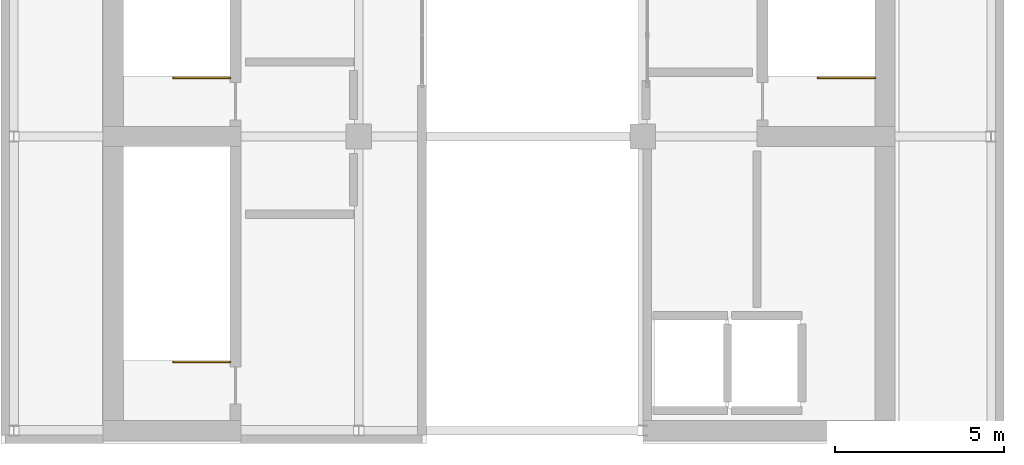
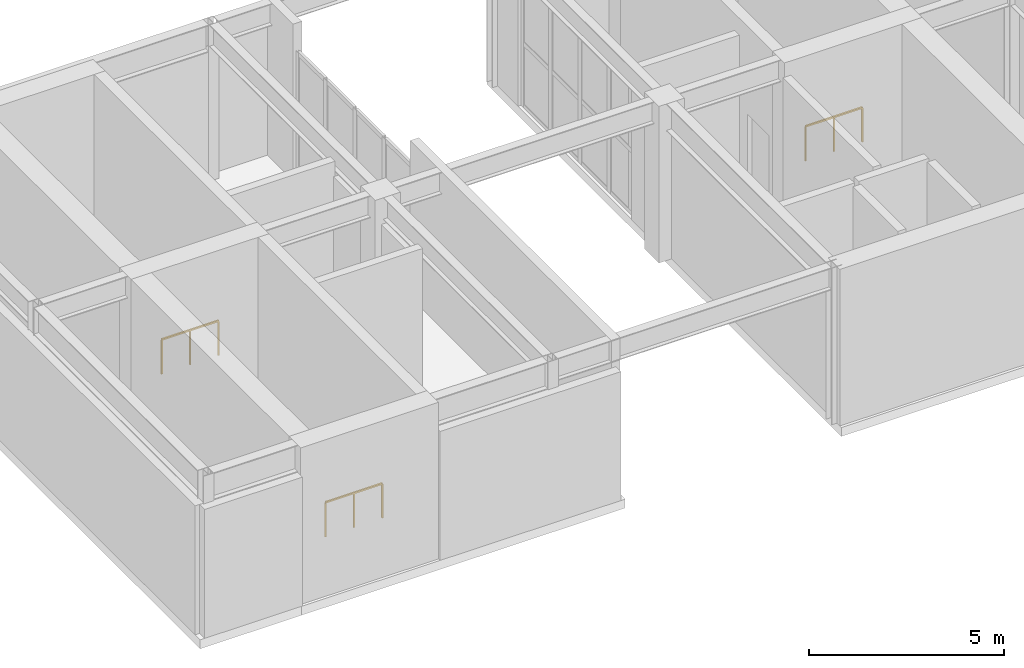
# One storey, part 9 of 9: 3 railings.
"""IFC4 building model written with IfcOpenShell, lengths in metres."""

from ifc_helpers import new_model, si_unit, direction, frame, origin, origin_2d, place, context, subcontext, project, spatial, rectangle, extrude, material, type_object, element, save


model = new_model("IFC4")

# Units and contexts
model_context = context("Model", 3, precision=1e-05, world=origin(), true_north=direction((0.0, 1.0)))
body_context = subcontext(model_context, "Body", "Model", "MODEL_VIEW")
ifc_project = project(units=[si_unit("LENGTHUNIT", "METRE"), si_unit("AREAUNIT", "SQUARE_METRE"), si_unit("VOLUMEUNIT", "CUBIC_METRE"), si_unit("PLANEANGLEUNIT", "RADIAN"), si_unit("MASSUNIT", "GRAM", prefix="KILO")], contexts=[model_context])

# Site, building, storey
site_placement = place(None, origin())
site = spatial("IfcSite", under=ifc_project, at=site_placement, CompositionType="ELEMENT")
building_placement = place(site_placement, origin())
building = spatial("IfcBuilding", under=site, at=building_placement, Name="Solanera Arch Residences", CompositionType="ELEMENT")
storey_placement = place(building_placement, frame((0.0, 0.0, 297.679931640625)))
storey = spatial("IfcBuildingStorey", under=building, at=storey_placement, Name="L84", CompositionType="ELEMENT", Elevation=297.679931640625)

# Railings
ifc_material = material(Name="Steel S355 (ASTM A992 / A572 Grade 50)", Category="steel")
railing_type = type_object("IfcRailingType", Name="Stair Guardrail GR-1100", PredefinedType="GUARDRAIL", material=ifc_material)
railing_1_placement = place(storey_placement, frame((17.0, 32.429931640625, -0.014892578125)))
element("IfcRailing", 1, at=railing_1_placement, inside=storey, type_object=railing_type, Name="L84 ST-T1 top well guard 1", PredefinedType="GUARDRAIL", context=body_context, shape_type="SweptSolid", body=[
    extrude(rectangle(XDim=0.048095703125, YDim=0.048095703125, at=origin_2d()), frame((0.0, 0.0, 1.076171875), z_axis=(-1.0, 0.0, 0.0), x_axis=(0.0, -1.0, 0.0)), (0.0, 0.0, 1.0), 1.679931640625),
    extrude(rectangle(XDim=0.0419921875, YDim=0.0419921875, at=origin_2d()), origin(), (0.0, 0.0, 1.0), 1.052001953125),
    extrude(rectangle(XDim=0.0419921875, YDim=0.0419921875, at=origin_2d()), frame((-0.83984375, 0.0, 0.0)), (0.0, 0.0, 1.0), 1.052001953125),
    extrude(rectangle(XDim=0.0419921875, YDim=0.0419921875, at=origin_2d()), frame((-1.679931640625, 0.0, 0.0)), (0.0, 0.0, 1.0), 1.052001953125),
])
railing_2_placement = place(storey_placement, frame((36.06005859375, 32.429931640625, -0.014892578125)))
element("IfcRailing", 2, at=railing_2_placement, inside=storey, type_object=railing_type, Name="L84 ST-T2 top well guard 1", PredefinedType="GUARDRAIL", context=body_context, shape_type="SweptSolid", body=[
    extrude(rectangle(XDim=0.048095703125, YDim=0.048095703125, at=origin_2d()), frame((0.0, 0.0, 1.076171875), z_axis=(-1.0, 0.0, 0.0), x_axis=(0.0, -1.0, 0.0)), (0.0, 0.0, 1.0), 1.68017578125),
    extrude(rectangle(XDim=0.0419921875, YDim=0.0419921875, at=origin_2d()), origin(), (0.0, 0.0, 1.0), 1.052001953125),
    extrude(rectangle(XDim=0.0419921875, YDim=0.0419921875, at=origin_2d()), frame((-0.840087890625, 0.0, 0.0)), (0.0, 0.0, 1.0), 1.052001953125),
    extrude(rectangle(XDim=0.0419921875, YDim=0.0419921875, at=origin_2d()), frame((-1.68017578125, 0.0, 0.0)), (0.0, 0.0, 1.0), 1.052001953125),
])
railing_3_placement = place(storey_placement, frame((17.0, 24.030029296875, -0.014892578125)))
element("IfcRailing", 3, at=railing_3_placement, inside=storey, type_object=railing_type, Name="L84 ST-T3 top well guard 1", PredefinedType="GUARDRAIL", context=body_context, shape_type="SweptSolid", body=[
    extrude(rectangle(XDim=0.048095703125, YDim=0.048095703125, at=origin_2d()), frame((0.0, 0.0, 1.076171875), z_axis=(-1.0, 0.0, 0.0), x_axis=(0.0, -1.0, 0.0)), (0.0, 0.0, 1.0), 1.679931640625),
    extrude(rectangle(XDim=0.0419921875, YDim=0.0419921875, at=origin_2d()), origin(), (0.0, 0.0, 1.0), 1.052001953125),
    extrude(rectangle(XDim=0.0419921875, YDim=0.0419921875, at=origin_2d()), frame((-0.83984375, 0.0, 0.0)), (0.0, 0.0, 1.0), 1.052001953125),
    extrude(rectangle(XDim=0.0419921875, YDim=0.0419921875, at=origin_2d()), frame((-1.679931640625, 0.0, 0.0)), (0.0, 0.0, 1.0), 1.052001953125),
])

save(model, "model.ifc")
